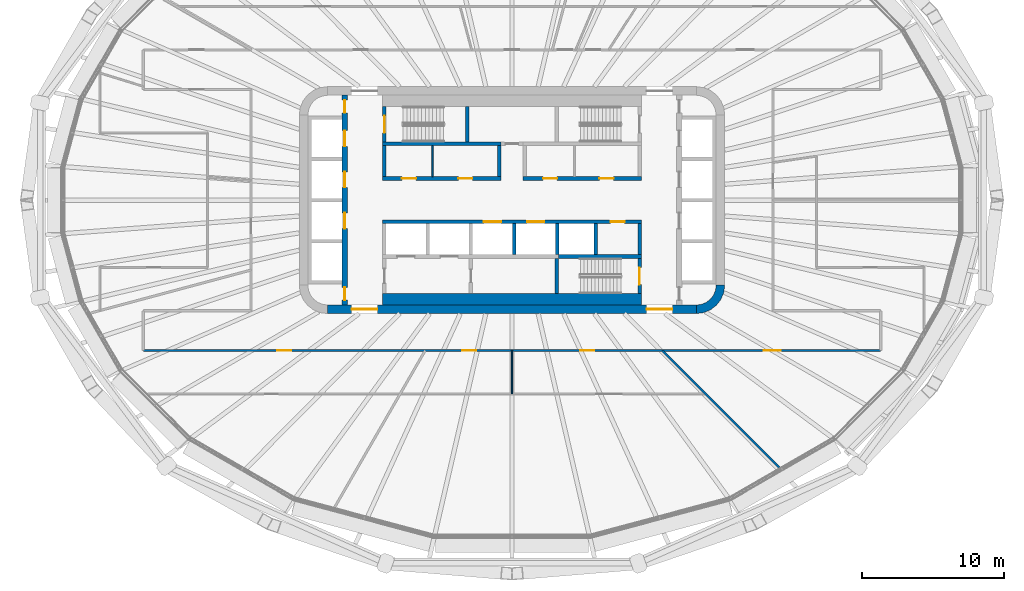
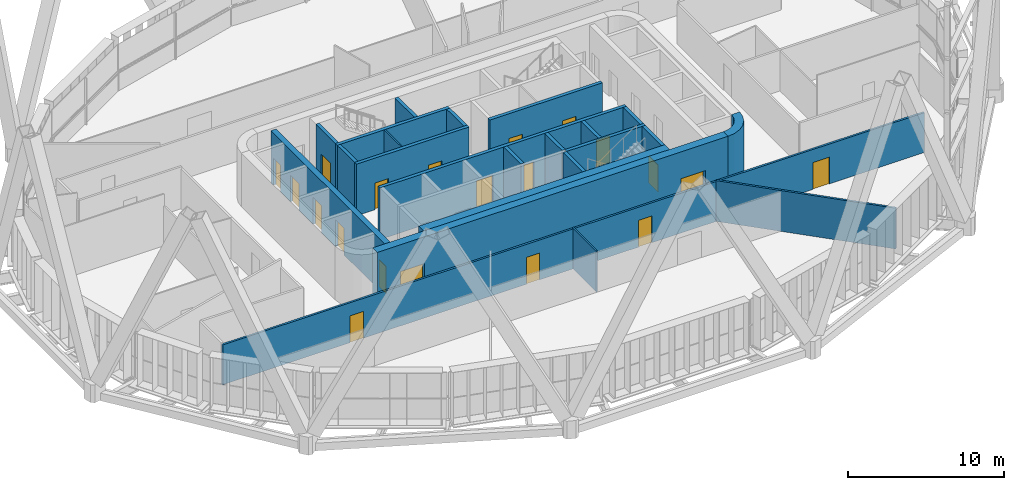
# One storey, part 16 of 26: 23 walls, 20 doors, 20 openings.
"""IFC4 building model written with IfcOpenShell, lengths in metres."""

import ifcopenshell
import ifcopenshell.guid

model = None  # the IFC model being written
_history = None  # IfcOwnerHistory: only IFC2X3 demands one
_inside = {}  # id of a spatial element -> (the spatial element, [elements in it])
_under = {}  # id of a project, library or spatial element -> (it, [spatial elements below it])
_declared = {}  # id of a project -> (the project, [libraries it declares])
_typed = {}  # id of a type object -> (the type object, [elements of that type])
_made_of = {}  # id of a material, layer set ... -> (it, [elements and type objects made of it])


def new_model(schema):
    """Start an empty IFC model of exactly this schema.

    Asked for "IFC4X3", IfcOpenShell would pick the latest addendum, in which some entities
    have other attributes; the version numbers below select the first issue.
    IFC2X3 requires an IfcOwnerHistory on every rooted entity: one is made here for all.
    """
    global model, _history
    if schema == "IFC4X3":
        model = ifcopenshell.file(schema_version=(4, 3, 0, 0))
    else:
        model = ifcopenshell.file(schema=schema)
    _inside.clear()
    _under.clear()
    _declared.clear()
    _typed.clear()
    _made_of.clear()
    _history = None
    if model.schema == "IFC2X3":
        org = make("IfcOrganization", Name="unknown")
        user = make(
            "IfcPersonAndOrganization",
            ThePerson=make("IfcPerson", FamilyName="unknown"),
            TheOrganization=org,
        )
        app = make(
            "IfcApplication",
            ApplicationDeveloper=org,
            Version="unknown",
            ApplicationFullName="unknown",
            ApplicationIdentifier="unknown",
        )
        _history = make(
            "IfcOwnerHistory",
            OwningUser=user,
            OwningApplication=app,
            ChangeAction="ADDED",
            CreationDate=0,
        )
    return model


def make(cls, **values):
    """One entity of the class cls with the attributes given. An attribute that is None is left unset."""
    return model.create_entity(
        cls, **{name: value for name, value in values.items() if value is not None}
    )


def rooted(cls, **values):
    """An entity with a GlobalId (a new one), such as an element, a storey or a relation."""
    return make(cls, GlobalId=ifcopenshell.guid.new(), OwnerHistory=_history, **values)


def si_unit(unit_type, name, prefix=None):
    """IfcSIUnit, for example si_unit("LENGTHUNIT", "METRE", prefix="MILLI")."""
    return make("IfcSIUnit", UnitType=unit_type, Prefix=prefix, Name=name)


def assignment(units):
    """IfcUnitAssignment: the units of a project."""
    return None if units is None else make("IfcUnitAssignment", Units=units)


def point(xyz):
    """IfcCartesianPoint."""
    return None if xyz is None else make("IfcCartesianPoint", Coordinates=xyz)


def direction(xyz):
    """IfcDirection."""
    return None if xyz is None else make("IfcDirection", DirectionRatios=xyz)


def frame(location, z_axis=None, x_axis=None):
    """IfcAxis2Placement3D, a coordinate frame: its origin and axes. An axis left out is left unset."""
    return make(
        "IfcAxis2Placement3D",
        Location=point(location),
        Axis=direction(z_axis),
        RefDirection=direction(x_axis),
    )


def frame_2d(location, x_axis=None):
    """IfcAxis2Placement2D, a coordinate frame in the plane: its origin and x axis."""
    return make(
        "IfcAxis2Placement2D", Location=point(location), RefDirection=direction(x_axis)
    )


def origin():
    """The frame at (0, 0, 0) with its axes left unset."""
    return frame((0.0, 0.0, 0.0))


def place(relative_to, where):
    """IfcLocalPlacement: puts the frame where relative to a parent placement (None: the world)."""
    return make(
        "IfcLocalPlacement", PlacementRelTo=relative_to, RelativePlacement=where
    )


def context(
    kind, dimensions, precision=None, world=None, true_north=None, identifier=None
):
    """IfcGeometricRepresentationContext, for example the 3D "Model" context."""
    return make(
        "IfcGeometricRepresentationContext",
        ContextIdentifier=identifier,
        ContextType=kind,
        CoordinateSpaceDimension=dimensions,
        Precision=precision,
        WorldCoordinateSystem=world,
        TrueNorth=true_north,
    )


def subcontext(parent, identifier, kind, view, scale=None):
    """IfcGeometricRepresentationSubContext, for example "Body" below "Model"."""
    return make(
        "IfcGeometricRepresentationSubContext",
        ContextIdentifier=identifier,
        ContextType=kind,
        ParentContext=parent,
        TargetScale=scale,
        TargetView=view,
    )


def project(units=None, contexts=None):
    """IfcProject with its units and contexts."""
    return rooted(
        "IfcProject",
        Name="project",
        RepresentationContexts=contexts,
        UnitsInContext=assignment(units),
    )


def spatial(cls, under=None, at=None, **own):
    """A site, building, storey or space (cls), placed at a placement, below another one or the project."""
    s = rooted(cls, ObjectPlacement=at, **own)
    if under is not None:
        _under.setdefault(under.id(), (under, []))[1].append(s)
    return s


def polyline(points):
    """IfcPolyline through the points."""
    return make("IfcPolyline", Points=[point(p) for p in points])


def profile(cls, at=None, kind="AREA", **sizes):
    """A parametric profile (cls). Its sizes go by their IFC names, for example OverallWidth=200.0."""
    return make(cls, ProfileType=kind, Position=at, **sizes)


def rectangle(**sizes):
    """IfcRectangleProfileDef."""
    return profile("IfcRectangleProfileDef", **sizes)


def outline(outer, holes=None, kind="AREA"):
    """IfcArbitraryClosedProfileDef: a profile drawn as a closed curve; with holes, ...WithVoids."""
    if holes is None:
        return make("IfcArbitraryClosedProfileDef", ProfileType=kind, OuterCurve=outer)
    return make(
        "IfcArbitraryProfileDefWithVoids",
        ProfileType=kind,
        OuterCurve=outer,
        InnerCurves=holes,
    )


def extrude(swept, where, along, depth):
    """IfcExtrudedAreaSolid: the profile swept, set in the frame where, extruded along a direction by depth."""
    return make(
        "IfcExtrudedAreaSolid",
        SweptArea=swept,
        Position=where,
        ExtrudedDirection=direction(along),
        Depth=depth,
    )


def shape(context_of_items, identifier, shape_type, items):
    """IfcShapeRepresentation: the items that make up one representation, for example the "Body"."""
    return make(
        "IfcShapeRepresentation",
        ContextOfItems=context_of_items,
        RepresentationIdentifier=identifier,
        RepresentationType=shape_type,
        Items=items,
    )


def material(Name=None, Category=None):
    """IfcMaterial."""
    return make("IfcMaterial", Name=Name, Category=Category)


def layer(
    of_material, thickness, ventilated=None, Name=None, Category=None, Priority=None
):
    """IfcMaterialLayer: one layer of a wall or slab, of a material (None: an air gap)."""
    return make(
        "IfcMaterialLayer",
        Material=of_material,
        LayerThickness=thickness,
        IsVentilated=ventilated,
        Name=Name,
        Category=Category,
        Priority=Priority,
    )


def layer_set(layers, Name=None):
    """IfcMaterialLayerSet."""
    return make("IfcMaterialLayerSet", MaterialLayers=layers, LayerSetName=Name)


def made_of(thing, what):
    """Note that an element or type object is made of a material, layer set ...; save() writes the relation."""
    if what is not None:
        _made_of.setdefault(what.id(), (what, []))[1].append(thing)
    return thing


def type_object(cls, material=None, **own):
    """A type object (cls), such as IfcWallType, which elements share."""
    return made_of(rooted(cls, **own), material)


def element(
    cls,
    number,
    at=None,
    inside=None,
    cuts=None,
    type_object=None,
    material=None,
    context=None,
    identifier="Body",
    shape_type=None,
    held_by="IfcProductDefinitionShape",
    body=None,
    shapes=None,
    **own,
):
    """One element of the class cls, such as IfcWall. Its Tag is "e" and its number.

    at: its placement. inside: the storey or other place that contains it. cuts: it is an
    opening in that element (IfcRelVoidsElement). A single representation is given by context,
    identifier, shape_type and body (its items); several are given by shapes. held_by: the class
    of the entity that holds the representations. save() writes the other relations.
    """
    e = rooted(cls, Tag="e%d" % number, ObjectPlacement=at, **own)
    if body is not None:
        shapes = [shape(context, identifier, shape_type, body)]
    if shapes is not None:
        e.Representation = make(held_by, Representations=shapes)
    if inside is not None:
        _inside.setdefault(inside.id(), (inside, []))[1].append(e)
    if cuts is not None:
        rooted(
            "IfcRelVoidsElement", RelatingBuildingElement=cuts, RelatedOpeningElement=e
        )
    if type_object is not None:
        _typed.setdefault(type_object.id(), (type_object, []))[1].append(e)
    return made_of(e, material)


def fill(opening, filler):
    """IfcRelFillsElement: the door or window that sits in an opening."""
    return rooted(
        "IfcRelFillsElement",
        RelatingOpeningElement=opening,
        RelatedBuildingElement=filler,
    )


def aggregate(whole, parts):
    """IfcRelAggregates: a whole, such as a stair, and the parts it consists of."""
    return rooted("IfcRelAggregates", RelatingObject=whole, RelatedObjects=parts)


def save(model, path):
    """Write the relations noted so far, then the file.

    IfcRelAggregates (storeys below a building ...), IfcRelContainedInSpatialStructure (elements
    in a storey), IfcRelDefinesByType, IfcRelAssociatesMaterial and IfcRelDeclares: one each for
    every whole, place, type object, material and project.
    """
    for whole, parts in _under.values():
        aggregate(whole, parts)
    for where, things in _inside.values():
        rooted(
            "IfcRelContainedInSpatialStructure",
            RelatedElements=things,
            RelatingStructure=where,
        )
    for kind, things in _typed.values():
        rooted("IfcRelDefinesByType", RelatedObjects=things, RelatingType=kind)
    for what, things in _made_of.values():
        rooted("IfcRelAssociatesMaterial", RelatedObjects=things, RelatingMaterial=what)
    for by, libraries in _declared.values():
        rooted("IfcRelDeclares", RelatingContext=by, RelatedDefinitions=libraries)
    model.write(path)


model = new_model("IFC4")

# Units and contexts
model_context = context("Model", 3, precision=1e-05, world=origin(), true_north=direction((0.0, 1.0)))
body_context = subcontext(model_context, "Body", "Model", "MODEL_VIEW")
ifc_project = project(units=[si_unit("LENGTHUNIT", "METRE"), si_unit("AREAUNIT", "SQUARE_METRE"), si_unit("VOLUMEUNIT", "CUBIC_METRE"), si_unit("PLANEANGLEUNIT", "RADIAN"), si_unit("MASSUNIT", "GRAM", prefix="KILO")], contexts=[model_context])

# Site, building, storey
site_placement = place(None, origin())
site = spatial("IfcSite", under=ifc_project, at=site_placement, CompositionType="ELEMENT")
building_placement = place(site_placement, origin())
building = spatial("IfcBuilding", under=site, at=building_placement, Name="Sahrelin Media Tower", CompositionType="ELEMENT")
storey_placement = place(building_placement, frame((0.0, 0.0, 131.39990234375)))
storey = spatial("IfcBuildingStorey", under=building, at=storey_placement, Name="L26", CompositionType="ELEMENT", Elevation=131.39990234375)

# Wall, openings, doors
ifc_material_1 = material(Name="Concrete C60/75", Category="concrete")
ifc_layer_1 = layer(ifc_material_1, 0.60009765625)
ifc_layer_set_1 = layer_set([ifc_layer_1], Name="Core wall 600")
wall_type_1 = type_object("IfcWallType", Name="Core wall 600", PredefinedType="SHEAR", material=ifc_layer_set_1)
wall_1_placement = place(storey_placement, frame((-13.0, -7.699951171875, 0.0), z_axis=(0.0, 0.0, 1.0), x_axis=(1.0, 0.0, 0.0)))
wall_1 = element("IfcWall", 1, at=wall_1_placement, inside=storey, type_object=wall_type_1, Name="Core wall S L26", PredefinedType="SHEAR", context=body_context, shape_type="SweptSolid", body=[
    extrude(rectangle(XDim=26.0, YDim=0.60009765625, at=frame_2d((13.0, 0.0))), origin(), (0.0, 0.0, 1.0), 4.2001953125),
])
opening_1_placement = place(wall_1_placement, frame((1.699951171875, 0.0, 0.0)))
opening_1 = element("IfcOpeningElement", 2, at=opening_1_placement, cuts=wall_1, Name="Opening L26-D18", PredefinedType="OPENING", context=body_context, shape_type="SweptSolid", body=[
    extrude(rectangle(XDim=1.800048828125, YDim=2.10009765625, at=frame_2d((0.89990234375, 1.050048828125))), frame((0.0, 0.300048828125, 0.0), z_axis=(0.0, -1.0, 0.0), x_axis=(1.0, 0.0, 0.0)), (0.0, 0.0, 1.0), 0.60009765625),
])
opening_2_placement = place(wall_1_placement, frame((22.5, 0.0, 0.0)))
opening_2 = element("IfcOpeningElement", 3, at=opening_2_placement, cuts=wall_1, Name="Opening L26-D19", PredefinedType="OPENING", context=body_context, shape_type="SweptSolid", body=[
    extrude(rectangle(XDim=1.800048828125, YDim=2.10009765625, at=frame_2d((0.89990234375, 1.050048828125))), frame((0.0, 0.300048828125, 0.0), z_axis=(0.0, -1.0, 0.0), x_axis=(1.0, 0.0, 0.0)), (0.0, 0.0, 1.0), 0.60009765625),
])
ifc_material_2 = material(Name="Steel fire door leaf", Category="steel")
door_type_1 = type_object("IfcDoorType", Name="Lobby double door 1800 x 2100 EI 60", OperationType="DOUBLE_DOOR_SINGLE_SWING", PredefinedType="DOOR", material=ifc_material_2)
door_1_placement = place(opening_1_placement, origin())
door_1 = element("IfcDoor", 4, at=door_1_placement, inside=storey, type_object=door_type_1, Name="Lobby door", OperationType="DOUBLE_DOOR_SINGLE_SWING", OverallHeight=2.10009765625, OverallWidth=1.800048828125, PredefinedType="DOOR", context=body_context, shape_type="SweptSolid", body=[
    extrude(rectangle(XDim=1.800048828125, YDim=2.10009765625, at=frame_2d((0.89990234375, 1.050048828125))), frame((0.0, 0.02490234375, 0.0), z_axis=(0.0, -1.0, 0.0), x_axis=(1.0, 0.0, 0.0)), (0.0, 0.0, 1.0), 0.050048828125),
])
fill(opening_1, door_1)
door_2_placement = place(opening_2_placement, origin())
door_2 = element("IfcDoor", 5, at=door_2_placement, inside=storey, type_object=door_type_1, Name="Lobby door", OperationType="DOUBLE_DOOR_SINGLE_SWING", OverallHeight=2.10009765625, OverallWidth=1.800048828125, PredefinedType="DOOR", context=body_context, shape_type="SweptSolid", body=[
    extrude(rectangle(XDim=1.800048828125, YDim=2.10009765625, at=frame_2d((0.89990234375, 1.050048828125))), frame((0.0, 0.02490234375, 0.0), z_axis=(0.0, -1.0, 0.0), x_axis=(1.0, 0.0, 0.0)), (0.0, 0.0, 1.0), 0.050048828125),
])
fill(opening_2, door_2)

# Wall
wall_2_placement = place(storey_placement, origin())
element("IfcWall", 6, at=wall_2_placement, inside=storey, type_object=wall_type_1, Name="Core wall corner SE L26", PredefinedType="SHEAR", context=body_context, shape_type="SweptSolid", body=[
    extrude(outline(polyline([(15.0, -6.0), (14.394775390625, -6.0), (14.347412109375, -6.361083984375), (14.2080078125, -6.697509765625), (13.986328125, -6.986328125), (13.697509765625, -7.2080078125), (13.361083984375, -7.347412109375), (13.0, -7.394775390625), (13.0, -8.0), (13.517578125, -7.931884765625), (14.0, -7.732177734375), (14.414306640625, -7.414306640625), (14.732177734375, -7.0), (14.931884765625, -6.517578125), (15.0, -6.0)])), origin(), (0.0, 0.0, 1.0), 4.2001953125),
])

# Wall, openings, doors
ifc_material_3 = material(Name="Fire-rated gypsum board partition")
ifc_layer_2 = layer(ifc_material_3, 0.25)
ifc_layer_set_2 = layer_set([ifc_layer_2], Name="Fire-rated lobby wall 250")
wall_type_2 = type_object("IfcWallType", Name="Fire-rated lobby wall 250", PredefinedType="PARTITIONING", material=ifc_layer_set_2)
wall_3_placement = place(storey_placement, frame((-9.125, 1.52490234375, 0.0), z_axis=(0.0, 0.0, 1.0), x_axis=(1.0, 0.0, 0.0)))
wall_3 = element("IfcWall", 7, at=wall_3_placement, inside=storey, type_object=wall_type_2, Name="Core lobby wall", PredefinedType="PARTITIONING", context=body_context, shape_type="SweptSolid", body=[
    extrude(rectangle(XDim=8.35009765625, YDim=0.25, at=frame_2d((4.175048828125, 0.0))), origin(), (0.0, 0.0, 1.0), 4.050048828125),
])
opening_3_placement = place(wall_3_placement, frame((1.362548828125, 0.0, 0.0)))
opening_3 = element("IfcOpeningElement", 8, at=opening_3_placement, cuts=wall_3, Name="Opening L26-D07", PredefinedType="OPENING", context=body_context, shape_type="SweptSolid", body=[
    extrude(rectangle(XDim=1.0, YDim=2.10009765625, at=frame_2d((0.5, 1.050048828125))), frame((0.0, 0.125, 0.0), z_axis=(0.0, -1.0, 0.0), x_axis=(1.0, 0.0, 0.0)), (0.0, 0.0, 1.0), 0.25),
])
opening_4_placement = place(wall_3_placement, frame((5.33740234375, 0.0, 0.0)))
opening_4 = element("IfcOpeningElement", 9, at=opening_4_placement, cuts=wall_3, Name="Opening L26-D08", PredefinedType="OPENING", context=body_context, shape_type="SweptSolid", body=[
    extrude(rectangle(XDim=1.0, YDim=2.10009765625, at=frame_2d((0.5, 1.050048828125))), frame((0.0, 0.125, 0.0), z_axis=(0.0, -1.0, 0.0), x_axis=(1.0, 0.0, 0.0)), (0.0, 0.0, 1.0), 0.25),
])
door_type_2 = type_object("IfcDoorType", Name="Fire door 1000 x 2100 EI 60", OperationType="NOTDEFINED", PredefinedType="DOOR", material=ifc_material_2)
door_3_placement = place(opening_3_placement, origin())
door_3 = element("IfcDoor", 10, at=door_3_placement, inside=storey, type_object=door_type_2, Name="Core room door", OperationType="SINGLE_SWING_LEFT", OverallHeight=2.10009765625, OverallWidth=1.0, PredefinedType="DOOR", context=body_context, shape_type="SweptSolid", body=[
    extrude(rectangle(XDim=1.0, YDim=2.10009765625, at=frame_2d((0.5, 1.050048828125))), frame((0.0, 0.02490234375, 0.0), z_axis=(0.0, -1.0, 0.0), x_axis=(1.0, 0.0, 0.0)), (0.0, 0.0, 1.0), 0.050048828125),
])
fill(opening_3, door_3)
door_4_placement = place(opening_4_placement, origin())
door_4 = element("IfcDoor", 11, at=door_4_placement, inside=storey, type_object=door_type_2, Name="Core room door", OperationType="SINGLE_SWING_LEFT", OverallHeight=2.10009765625, OverallWidth=1.0, PredefinedType="DOOR", context=body_context, shape_type="SweptSolid", body=[
    extrude(rectangle(XDim=1.0, YDim=2.10009765625, at=frame_2d((0.5, 1.050048828125))), frame((0.0, 0.02490234375, 0.0), z_axis=(0.0, -1.0, 0.0), x_axis=(1.0, 0.0, 0.0)), (0.0, 0.0, 1.0), 0.050048828125),
])
fill(opening_4, door_4)

wall_4_placement = place(storey_placement, frame((0.77490234375, 1.52490234375, 0.0), z_axis=(0.0, 0.0, 1.0), x_axis=(1.0, 0.0, 0.0)))
wall_4 = element("IfcWall", 12, at=wall_4_placement, inside=storey, type_object=wall_type_2, Name="Core lobby wall", PredefinedType="PARTITIONING", context=body_context, shape_type="SweptSolid", body=[
    extrude(rectangle(XDim=8.35009765625, YDim=0.25, at=frame_2d((4.175048828125, 0.0))), origin(), (0.0, 0.0, 1.0), 4.050048828125),
])
opening_5_placement = place(wall_4_placement, frame((1.41259765625, 0.0, 0.0)))
opening_5 = element("IfcOpeningElement", 13, at=opening_5_placement, cuts=wall_4, Name="Opening L26-D09", PredefinedType="OPENING", context=body_context, shape_type="SweptSolid", body=[
    extrude(rectangle(XDim=1.0, YDim=2.10009765625, at=frame_2d((0.5, 1.050048828125))), frame((0.0, 0.125, 0.0), z_axis=(0.0, -1.0, 0.0), x_axis=(1.0, 0.0, 0.0)), (0.0, 0.0, 1.0), 0.25),
])
opening_6_placement = place(wall_4_placement, frame((5.387451171875, 0.0, 0.0)))
opening_6 = element("IfcOpeningElement", 14, at=opening_6_placement, cuts=wall_4, Name="Opening L26-D10", PredefinedType="OPENING", context=body_context, shape_type="SweptSolid", body=[
    extrude(rectangle(XDim=1.0, YDim=2.10009765625, at=frame_2d((0.5, 1.050048828125))), frame((0.0, 0.125, 0.0), z_axis=(0.0, -1.0, 0.0), x_axis=(1.0, 0.0, 0.0)), (0.0, 0.0, 1.0), 0.25),
])
door_5_placement = place(opening_5_placement, origin())
door_5 = element("IfcDoor", 15, at=door_5_placement, inside=storey, type_object=door_type_2, Name="Core room door", OperationType="SINGLE_SWING_LEFT", OverallHeight=2.10009765625, OverallWidth=1.0, PredefinedType="DOOR", context=body_context, shape_type="SweptSolid", body=[
    extrude(rectangle(XDim=1.0, YDim=2.10009765625, at=frame_2d((0.5, 1.050048828125))), frame((0.0, 0.02490234375, 0.0), z_axis=(0.0, -1.0, 0.0), x_axis=(1.0, 0.0, 0.0)), (0.0, 0.0, 1.0), 0.050048828125),
])
fill(opening_5, door_5)
door_6_placement = place(opening_6_placement, origin())
door_6 = element("IfcDoor", 16, at=door_6_placement, inside=storey, type_object=door_type_2, Name="Core room door", OperationType="SINGLE_SWING_LEFT", OverallHeight=2.10009765625, OverallWidth=1.0, PredefinedType="DOOR", context=body_context, shape_type="SweptSolid", body=[
    extrude(rectangle(XDim=1.0, YDim=2.10009765625, at=frame_2d((0.5, 1.050048828125))), frame((0.0, 0.02490234375, 0.0), z_axis=(0.0, -1.0, 0.0), x_axis=(1.0, 0.0, 0.0)), (0.0, 0.0, 1.0), 0.050048828125),
])
fill(opening_6, door_6)

# Walls
for number, where, z_axis, x_axis, name in (
    (17, (-9.0, 1.64990234375, 0.0), (0.0, 0.0, 1.0), (0.0, 1.0, 0.0), "Core lobby wall"),
    (18, (-0.89990234375, 1.64990234375, 0.0), (0.0, 0.0, 1.0), (0.0, 1.0, 0.0), "Core lobby wall"),
):
    element("IfcWall", number, at=place(storey_placement, frame(where, z_axis=z_axis, x_axis=x_axis)), inside=storey, type_object=wall_type_2, Name=name, PredefinedType="PARTITIONING", context=body_context, shape_type="SweptSolid", body=[
        extrude(rectangle(XDim=2.2001953125, YDim=0.25, at=frame_2d((1.10009765625, 0.0))), origin(), (0.0, 0.0, 1.0), 4.050048828125),
    ])
ifc_layer_3 = layer(ifc_material_3, 0.10009765625)
ifc_layer_set_3 = layer_set([ifc_layer_3], Name="Fire-rated partition 100")
wall_type_3 = type_object("IfcWallType", Name="Fire-rated partition 100", PredefinedType="PARTITIONING", material=ifc_layer_set_3)
wall_5_placement = place(storey_placement, frame((-5.60009765625, 1.64990234375, 0.0), z_axis=(0.0, 0.0, 1.0), x_axis=(0.0, 1.0, 0.0)))
element("IfcWall", 19, at=wall_5_placement, inside=storey, type_object=wall_type_3, Name="Core room partition", PredefinedType="PARTITIONING", context=body_context, shape_type="SweptSolid", body=[
    extrude(rectangle(XDim=2.2001953125, YDim=0.10009765625, at=frame_2d((1.10009765625, 0.0))), origin(), (0.0, 0.0, 1.0), 4.050048828125),
])
ifc_layer_4 = layer(ifc_material_3, 0.14990234375)
ifc_layer_set_4 = layer_set([ifc_layer_4], Name="Fire-rated partition 150")
wall_type_4 = type_object("IfcWallType", Name="Fire-rated partition 150", PredefinedType="PARTITIONING", material=ifc_layer_set_4)
wall_6_placement = place(storey_placement, frame((10.60009765625, -10.60009765625, 0.0), z_axis=(0.0, 0.0, 1.0), x_axis=(0.707106781187, -0.707106781187, 0.0)))
element("IfcWall", 20, at=wall_6_placement, inside=storey, type_object=wall_type_4, Name="Wall", PredefinedType="PARTITIONING", context=body_context, shape_type="SweptSolid", body=[
    extrude(rectangle(XDim=11.962890625, YDim=0.14990234375, at=frame_2d((5.9814453125, 0.0))), origin(), (0.0, 0.0, 1.0), 3.195068359375),
])

# Wall, openings, doors
wall_7_placement = place(storey_placement, frame((-26.0, -10.60009765625, 0.0), z_axis=(0.0, 0.0, 1.0), x_axis=(1.0, 0.0, 0.0)))
wall_7 = element("IfcWall", 21, at=wall_7_placement, inside=storey, type_object=wall_type_4, Name="Wall", PredefinedType="PARTITIONING", context=body_context, shape_type="SweptSolid", body=[
    extrude(rectangle(XDim=52.0, YDim=0.14990234375, at=frame_2d((26.0, 0.0))), origin(), (0.0, 0.0, 1.0), 3.127197265625),
])
opening_7_placement = place(wall_7_placement, frame((22.490234375, 0.0, 0.0)))
opening_7 = element("IfcOpeningElement", 22, at=opening_7_placement, cuts=wall_7, Name="Opening L26-D20", PredefinedType="OPENING", context=body_context, shape_type="SweptSolid", body=[
    extrude(rectangle(XDim=1.0, YDim=2.10009765625, at=frame_2d((0.5, 1.050048828125))), frame((0.0, 0.074951171875, 0.0), z_axis=(0.0, -1.0, 0.0), x_axis=(1.0, 0.0, 0.0)), (0.0, 0.0, 1.0), 0.14990234375),
])
opening_8_placement = place(wall_7_placement, frame((30.800048828125, 0.0, 0.0)))
opening_8 = element("IfcOpeningElement", 23, at=opening_8_placement, cuts=wall_7, Name="Opening L26-D21", PredefinedType="OPENING", context=body_context, shape_type="SweptSolid", body=[
    extrude(rectangle(XDim=1.0, YDim=2.10009765625, at=frame_2d((0.5, 1.050048828125))), frame((0.0, 0.074951171875, 0.0), z_axis=(0.0, -1.0, 0.0), x_axis=(1.0, 0.0, 0.0)), (0.0, 0.0, 1.0), 0.14990234375),
])
opening_9_placement = place(wall_7_placement, frame((43.75048828125, 0.0, 0.0)))
opening_9 = element("IfcOpeningElement", 24, at=opening_9_placement, cuts=wall_7, Name="Opening L26-D23", PredefinedType="OPENING", context=body_context, shape_type="SweptSolid", body=[
    extrude(rectangle(XDim=1.199951171875, YDim=2.10009765625, at=frame_2d((0.60009765625, 1.050048828125))), frame((0.0, 0.074951171875, 0.0), z_axis=(0.0, -1.0, 0.0), x_axis=(1.0, 0.0, 0.0)), (0.0, 0.0, 1.0), 0.14990234375),
])
opening_10_placement = place(wall_7_placement, frame((9.43994140625, 0.0, 0.0)))
opening_10 = element("IfcOpeningElement", 25, at=opening_10_placement, cuts=wall_7, Name="Opening L26-D37", PredefinedType="OPENING", context=body_context, shape_type="SweptSolid", body=[
    extrude(rectangle(XDim=1.0, YDim=2.10009765625, at=frame_2d((0.5, 1.050048828125))), frame((0.0, 0.074951171875, 0.0), z_axis=(0.0, -1.0, 0.0), x_axis=(1.0, 0.0, 0.0)), (0.0, 0.0, 1.0), 0.14990234375),
])
door_7_placement = place(opening_7_placement, origin())
door_7 = element("IfcDoor", 26, at=door_7_placement, inside=storey, type_object=door_type_2, Name="Fire door", OperationType="SINGLE_SWING_RIGHT", OverallHeight=2.10009765625, OverallWidth=1.0, PredefinedType="DOOR", context=body_context, shape_type="SweptSolid", body=[
    extrude(rectangle(XDim=1.0, YDim=2.10009765625, at=frame_2d((0.5, 1.050048828125))), frame((0.0, 0.02490234375, 0.0), z_axis=(0.0, -1.0, 0.0), x_axis=(1.0, 0.0, 0.0)), (0.0, 0.0, 1.0), 0.050048828125),
])
fill(opening_7, door_7)
door_8_placement = place(opening_8_placement, origin())
door_8 = element("IfcDoor", 27, at=door_8_placement, inside=storey, type_object=door_type_2, Name="Fire door", OperationType="SINGLE_SWING_LEFT", OverallHeight=2.10009765625, OverallWidth=1.0, PredefinedType="DOOR", context=body_context, shape_type="SweptSolid", body=[
    extrude(rectangle(XDim=1.0, YDim=2.10009765625, at=frame_2d((0.5, 1.050048828125))), frame((0.0, 0.02490234375, 0.0), z_axis=(0.0, -1.0, 0.0), x_axis=(1.0, 0.0, 0.0)), (0.0, 0.0, 1.0), 0.050048828125),
])
fill(opening_8, door_8)
door_9_placement = place(opening_10_placement, origin())
door_9 = element("IfcDoor", 28, at=door_9_placement, inside=storey, type_object=door_type_2, Name="Fire door", OperationType="SINGLE_SWING_RIGHT", OverallHeight=2.10009765625, OverallWidth=1.0, PredefinedType="DOOR", context=body_context, shape_type="SweptSolid", body=[
    extrude(rectangle(XDim=1.0, YDim=2.10009765625, at=frame_2d((0.5, 1.050048828125))), frame((0.0, 0.02490234375, 0.0), z_axis=(0.0, -1.0, 0.0), x_axis=(1.0, 0.0, 0.0)), (0.0, 0.0, 1.0), 0.050048828125),
])
fill(opening_10, door_9)
door_type_3 = type_object("IfcDoorType", Name="Service double door 1200 x 2100 EI 60", OperationType="DOUBLE_DOOR_SINGLE_SWING", PredefinedType="DOOR", material=ifc_material_2)
door_10_placement = place(opening_9_placement, origin())
door_10 = element("IfcDoor", 29, at=door_10_placement, inside=storey, type_object=door_type_3, Name="Service double door", OperationType="DOUBLE_DOOR_SINGLE_SWING", OverallHeight=2.10009765625, OverallWidth=1.199951171875, PredefinedType="DOOR", context=body_context, shape_type="SweptSolid", body=[
    extrude(rectangle(XDim=1.199951171875, YDim=2.10009765625, at=frame_2d((0.60009765625, 1.050048828125))), frame((0.0, 0.02490234375, 0.0), z_axis=(0.0, -1.0, 0.0), x_axis=(1.0, 0.0, 0.0)), (0.0, 0.0, 1.0), 0.050048828125),
])
fill(opening_9, door_10)

ifc_layer_5 = layer(ifc_material_1, 0.25)
ifc_layer_set_5 = layer_set([ifc_layer_5], Name="Lift shaft wall 250")
wall_type_5 = type_object("IfcWallType", Name="Lift shaft wall 250", PredefinedType="SOLIDWALL", material=ifc_layer_set_5)
wall_8_placement = place(storey_placement, frame((-9.125, -1.52490234375, 0.0), z_axis=(0.0, 0.0, 1.0), x_axis=(1.0, 0.0, 0.0)))
wall_8 = element("IfcWall", 30, at=wall_8_placement, inside=storey, type_object=wall_type_5, Name="Lift shaft wall", PredefinedType="SOLIDWALL", context=body_context, shape_type="SweptSolid", body=[
    extrude(rectangle(XDim=18.25, YDim=0.25, at=frame_2d((9.125, 0.0))), origin(), (0.0, 0.0, 1.0), 4.050048828125),
])
opening_11_placement = place(wall_8_placement, frame((7.14990234375, 0.0, 0.0)))
opening_11 = element("IfcOpeningElement", 31, at=opening_11_placement, cuts=wall_8, Name="Opening L26-LD-SV1", PredefinedType="OPENING", context=body_context, shape_type="SweptSolid", body=[
    extrude(rectangle(XDim=1.199951171875, YDim=2.10009765625, at=frame_2d((0.60009765625, 1.050048828125))), frame((0.0, 0.125, 0.0), z_axis=(0.0, -1.0, 0.0), x_axis=(1.0, 0.0, 0.0)), (0.0, 0.0, 1.0), 0.25),
])
opening_12_placement = place(wall_8_placement, frame((10.199951171875, 0.0, 0.0)))
opening_12 = element("IfcOpeningElement", 32, at=opening_12_placement, cuts=wall_8, Name="Opening L26-LD-SV2", PredefinedType="OPENING", context=body_context, shape_type="SweptSolid", body=[
    extrude(rectangle(XDim=1.199951171875, YDim=2.10009765625, at=frame_2d((0.60009765625, 1.050048828125))), frame((0.0, 0.125, 0.0), z_axis=(0.0, -1.0, 0.0), x_axis=(1.0, 0.0, 0.0)), (0.0, 0.0, 1.0), 0.25),
])
opening_13_placement = place(wall_8_placement, frame((16.074951171875, 0.0, 0.0)))
opening_13 = element("IfcOpeningElement", 33, at=opening_13_placement, cuts=wall_8, Name="Opening L26-D11", PredefinedType="OPENING", context=body_context, shape_type="SweptSolid", body=[
    extrude(rectangle(XDim=1.0, YDim=2.10009765625, at=frame_2d((0.5, 1.050048828125))), frame((0.0, 0.125, 0.0), z_axis=(0.0, -1.0, 0.0), x_axis=(1.0, 0.0, 0.0)), (0.0, 0.0, 1.0), 0.25),
])
door_11_placement = place(opening_13_placement, origin())
door_11 = element("IfcDoor", 34, at=door_11_placement, inside=storey, type_object=door_type_2, Name="Core room door", OperationType="SINGLE_SWING_RIGHT", OverallHeight=2.10009765625, OverallWidth=1.0, PredefinedType="DOOR", context=body_context, shape_type="SweptSolid", body=[
    extrude(rectangle(XDim=1.0, YDim=2.10009765625, at=frame_2d((0.5, 1.050048828125))), frame((0.0, 0.02490234375, 0.0), z_axis=(0.0, -1.0, 0.0), x_axis=(1.0, 0.0, 0.0)), (0.0, 0.0, 1.0), 0.050048828125),
])
fill(opening_13, door_11)
ifc_material_4 = material(Name="Stainless steel", Category="steel")
door_type_4 = type_object("IfcDoorType", Name="Lift landing door 1200 x 2100 EI 120", OperationType="DOUBLE_DOOR_SLIDING", PredefinedType="DOOR", material=ifc_material_4)
door_12_placement = place(opening_11_placement, origin())
door_12 = element("IfcDoor", 35, at=door_12_placement, inside=storey, type_object=door_type_4, Name="Lift landing door SV1", OperationType="DOUBLE_DOOR_SLIDING", OverallHeight=2.10009765625, OverallWidth=1.199951171875, PredefinedType="DOOR", context=body_context, shape_type="SweptSolid", body=[
    extrude(rectangle(XDim=1.199951171875, YDim=2.10009765625, at=frame_2d((0.60009765625, 1.050048828125))), frame((0.0, 0.02490234375, 0.0), z_axis=(0.0, -1.0, 0.0), x_axis=(1.0, 0.0, 0.0)), (0.0, 0.0, 1.0), 0.050048828125),
])
fill(opening_11, door_12)
door_13_placement = place(opening_12_placement, origin())
door_13 = element("IfcDoor", 36, at=door_13_placement, inside=storey, type_object=door_type_4, Name="Lift landing door SV2", OperationType="DOUBLE_DOOR_SLIDING", OverallHeight=2.10009765625, OverallWidth=1.199951171875, PredefinedType="DOOR", context=body_context, shape_type="SweptSolid", body=[
    extrude(rectangle(XDim=1.199951171875, YDim=2.10009765625, at=frame_2d((0.60009765625, 1.050048828125))), frame((0.0, 0.02490234375, 0.0), z_axis=(0.0, -1.0, 0.0), x_axis=(1.0, 0.0, 0.0)), (0.0, 0.0, 1.0), 0.050048828125),
])
fill(opening_12, door_13)

# Walls
wall_9_placement = place(storey_placement, frame((3.27490234375, -3.97509765625, 0.0), z_axis=(0.0, 0.0, 1.0), x_axis=(1.0, 0.0, 0.0)))
element("IfcWall", 37, at=wall_9_placement, inside=storey, type_object=wall_type_5, Name="Lift shaft wall", PredefinedType="SOLIDWALL", context=body_context, shape_type="SweptSolid", body=[
    extrude(rectangle(XDim=5.85009765625, YDim=0.25, at=frame_2d((2.925048828125, 0.0))), origin(), (0.0, 0.0, 1.0), 4.050048828125),
])
for number, where, z_axis, x_axis, name in (
    (38, (0.14990234375, -3.85009765625, 0.0), (0.0, 0.0, 1.0), (0.0, 1.0, 0.0), "Lift shaft wall"),
    (39, (3.199951171875, -3.85009765625, 0.0), (0.0, 0.0, 1.0), (0.0, 1.0, 0.0), "Lift shaft wall"),
    (40, (5.89990234375, -3.85009765625, 0.0), (0.0, 0.0, 1.0), (0.0, 1.0, 0.0), "Lift shaft wall"),
    (41, (9.0, -3.85009765625, 0.0), (0.0, 0.0, 1.0), (0.0, 1.0, 0.0), "Lift shaft wall"),
):
    element("IfcWall", number, at=place(storey_placement, frame(where, z_axis=z_axis, x_axis=x_axis)), inside=storey, type_object=wall_type_5, Name=name, PredefinedType="SOLIDWALL", context=body_context, shape_type="SweptSolid", body=[
        extrude(rectangle(XDim=2.2001953125, YDim=0.25, at=frame_2d((1.10009765625, 0.0))), origin(), (0.0, 0.0, 1.0), 4.050048828125),
    ])

# Wall, openings, doors
ifc_layer_6 = layer(ifc_material_1, 0.39990234375)
ifc_layer_set_6 = layer_set([ifc_layer_6], Name="Lift shaft wall 400")
wall_type_6 = type_object("IfcWallType", Name="Lift shaft wall 400", PredefinedType="SOLIDWALL", material=ifc_layer_set_6)
wall_10_placement = place(storey_placement, frame((-11.800048828125, -7.39990234375, 0.0), z_axis=(0.0, 0.0, 1.0), x_axis=(0.0, 1.0, 0.0)))
wall_10 = element("IfcWall", 42, at=wall_10_placement, inside=storey, type_object=wall_type_6, Name="Lift shaft wall", PredefinedType="SOLIDWALL", context=body_context, shape_type="SweptSolid", body=[
    extrude(rectangle(XDim=14.7998046875, YDim=0.39990234375, at=frame_2d((7.39990234375, 0.0))), origin(), (0.0, 0.0, 1.0), 4.050048828125),
])
opening_14_placement = place(wall_10_placement, frame((11.199951171875, 0.0, 0.0)))
opening_14 = element("IfcOpeningElement", 43, at=opening_14_placement, cuts=wall_10, Name="Opening L26-LD-LR1", PredefinedType="OPENING", context=body_context, shape_type="SweptSolid", body=[
    extrude(rectangle(XDim=1.10009765625, YDim=2.10009765625, at=frame_2d((0.550048828125, 1.050048828125))), frame((0.0, 0.199951171875, 0.0), z_axis=(0.0, -1.0, 0.0), x_axis=(1.0, 0.0, 0.0)), (0.0, 0.0, 1.0), 0.39990234375),
])
opening_15_placement = place(wall_10_placement, frame((8.300048828125, 0.0, 0.0)))
opening_15 = element("IfcOpeningElement", 44, at=opening_15_placement, cuts=wall_10, Name="Opening L26-LD-LR2", PredefinedType="OPENING", context=body_context, shape_type="SweptSolid", body=[
    extrude(rectangle(XDim=1.10009765625, YDim=2.10009765625, at=frame_2d((0.550048828125, 1.050048828125))), frame((0.0, 0.199951171875, 0.0), z_axis=(0.0, -1.0, 0.0), x_axis=(1.0, 0.0, 0.0)), (0.0, 0.0, 1.0), 0.39990234375),
])
opening_16_placement = place(wall_10_placement, frame((5.39990234375, 0.0, 0.0)))
opening_16 = element("IfcOpeningElement", 45, at=opening_16_placement, cuts=wall_10, Name="Opening L26-LD-LR3", PredefinedType="OPENING", context=body_context, shape_type="SweptSolid", body=[
    extrude(rectangle(XDim=1.10009765625, YDim=2.10009765625, at=frame_2d((0.550048828125, 1.050048828125))), frame((0.0, 0.199951171875, 0.0), z_axis=(0.0, -1.0, 0.0), x_axis=(1.0, 0.0, 0.0)), (0.0, 0.0, 1.0), 0.39990234375),
])
opening_17_placement = place(wall_10_placement, frame((13.552490234375, 0.0, 0.0)))
opening_17 = element("IfcOpeningElement", 46, at=opening_17_placement, cuts=wall_10, Name="Opening L26-D12", PredefinedType="OPENING", context=body_context, shape_type="SweptSolid", body=[
    extrude(rectangle(XDim=0.89990234375, YDim=2.10009765625, at=frame_2d((0.449951171875, 1.050048828125))), frame((0.0, 0.199951171875, 0.0), z_axis=(0.0, -1.0, 0.0), x_axis=(1.0, 0.0, 0.0)), (0.0, 0.0, 1.0), 0.39990234375),
])
opening_18_placement = place(wall_10_placement, frame((0.347412109375, 0.0, 0.0)))
opening_18 = element("IfcOpeningElement", 47, at=opening_18_placement, cuts=wall_10, Name="Opening L26-D13", PredefinedType="OPENING", context=body_context, shape_type="SweptSolid", body=[
    extrude(rectangle(XDim=0.89990234375, YDim=2.10009765625, at=frame_2d((0.449951171875, 1.050048828125))), frame((0.0, 0.199951171875, 0.0), z_axis=(0.0, -1.0, 0.0), x_axis=(1.0, 0.0, 0.0)), (0.0, 0.0, 1.0), 0.39990234375),
])
door_type_5 = type_object("IfcDoorType", Name="Lift landing door 1100 x 2100 EI 120", OperationType="DOUBLE_DOOR_SLIDING", PredefinedType="DOOR", material=ifc_material_4)
door_14_placement = place(opening_14_placement, origin())
door_14 = element("IfcDoor", 48, at=door_14_placement, inside=storey, type_object=door_type_5, Name="Lift landing door LR1", OperationType="DOUBLE_DOOR_SLIDING", OverallHeight=2.10009765625, OverallWidth=1.10009765625, PredefinedType="DOOR", context=body_context, shape_type="SweptSolid", body=[
    extrude(rectangle(XDim=1.10009765625, YDim=2.10009765625, at=frame_2d((0.550048828125, 1.050048828125))), frame((0.0, 0.02490234375, 0.0), z_axis=(0.0, -1.0, 0.0), x_axis=(1.0, 0.0, 0.0)), (0.0, 0.0, 1.0), 0.050048828125),
])
fill(opening_14, door_14)
door_15_placement = place(opening_15_placement, origin())
door_15 = element("IfcDoor", 49, at=door_15_placement, inside=storey, type_object=door_type_5, Name="Lift landing door LR2", OperationType="DOUBLE_DOOR_SLIDING", OverallHeight=2.10009765625, OverallWidth=1.10009765625, PredefinedType="DOOR", context=body_context, shape_type="SweptSolid", body=[
    extrude(rectangle(XDim=1.10009765625, YDim=2.10009765625, at=frame_2d((0.550048828125, 1.050048828125))), frame((0.0, 0.02490234375, 0.0), z_axis=(0.0, -1.0, 0.0), x_axis=(1.0, 0.0, 0.0)), (0.0, 0.0, 1.0), 0.050048828125),
])
fill(opening_15, door_15)
door_16_placement = place(opening_16_placement, origin())
door_16 = element("IfcDoor", 50, at=door_16_placement, inside=storey, type_object=door_type_5, Name="Lift landing door LR3", OperationType="DOUBLE_DOOR_SLIDING", OverallHeight=2.10009765625, OverallWidth=1.10009765625, PredefinedType="DOOR", context=body_context, shape_type="SweptSolid", body=[
    extrude(rectangle(XDim=1.10009765625, YDim=2.10009765625, at=frame_2d((0.550048828125, 1.050048828125))), frame((0.0, 0.02490234375, 0.0), z_axis=(0.0, -1.0, 0.0), x_axis=(1.0, 0.0, 0.0)), (0.0, 0.0, 1.0), 0.050048828125),
])
fill(opening_16, door_16)
door_type_6 = type_object("IfcDoorType", Name="Riser door 900 x 2100 EI 120", OperationType="NOTDEFINED", PredefinedType="DOOR", material=ifc_material_2)
door_17_placement = place(opening_17_placement, origin())
door_17 = element("IfcDoor", 51, at=door_17_placement, inside=storey, type_object=door_type_6, Name="Riser door", OperationType="SINGLE_SWING_LEFT", OverallHeight=2.10009765625, OverallWidth=0.89990234375, PredefinedType="DOOR", context=body_context, shape_type="SweptSolid", body=[
    extrude(rectangle(XDim=0.89990234375, YDim=2.10009765625, at=frame_2d((0.449951171875, 1.050048828125))), frame((0.0, 0.02490234375, 0.0), z_axis=(0.0, -1.0, 0.0), x_axis=(1.0, 0.0, 0.0)), (0.0, 0.0, 1.0), 0.050048828125),
])
fill(opening_17, door_17)
door_18_placement = place(opening_18_placement, origin())
door_18 = element("IfcDoor", 52, at=door_18_placement, inside=storey, type_object=door_type_6, Name="Riser door", OperationType="SINGLE_SWING_LEFT", OverallHeight=2.10009765625, OverallWidth=0.89990234375, PredefinedType="DOOR", context=body_context, shape_type="SweptSolid", body=[
    extrude(rectangle(XDim=0.89990234375, YDim=2.10009765625, at=frame_2d((0.449951171875, 1.050048828125))), frame((0.0, 0.02490234375, 0.0), z_axis=(0.0, -1.0, 0.0), x_axis=(1.0, 0.0, 0.0)), (0.0, 0.0, 1.0), 0.050048828125),
])
fill(opening_18, door_18)

# Wall
ifc_material_5 = material(Name="Gypsum board partition")
ifc_layer_7 = layer(ifc_material_5, 0.10009765625)
ifc_layer_set_7 = layer_set([ifc_layer_7], Name="Partition 100")
wall_type_7 = type_object("IfcWallType", Name="Partition 100", PredefinedType="PARTITIONING", material=ifc_layer_set_7)
wall_11_placement = place(storey_placement, frame((0.0, -13.659912109375, 0.0), z_axis=(0.0, 0.0, 1.0), x_axis=(0.0, 1.0, 0.0)))
element("IfcWall", 53, at=wall_11_placement, inside=storey, type_object=wall_type_7, Name="Wall", PredefinedType="PARTITIONING", context=body_context, shape_type="SweptSolid", body=[
    extrude(rectangle(XDim=3.059814453125, YDim=0.10009765625, at=frame_2d((1.52978515625, 0.0))), origin(), (0.0, 0.0, 1.0), 3.195068359375),
])

# Wall, opening, door
ifc_layer_8 = layer(ifc_material_1, 0.25)
ifc_layer_set_8 = layer_set([ifc_layer_8], Name="Stair enclosure wall 250")
wall_type_8 = type_object("IfcWallType", Name="Stair enclosure wall 250", PredefinedType="SOLIDWALL", material=ifc_layer_set_8)
wall_12_placement = place(storey_placement, frame((-9.0, 4.10009765625, 0.0), z_axis=(0.0, 0.0, 1.0), x_axis=(0.0, 1.0, 0.0)))
wall_12 = element("IfcWall", 54, at=wall_12_placement, inside=storey, type_object=wall_type_8, Name="Stair enclosure wall", PredefinedType="SOLIDWALL", context=body_context, shape_type="SweptSolid", body=[
    extrude(rectangle(XDim=2.5, YDim=0.25, at=frame_2d((1.25, 0.0))), origin(), (0.0, 0.0, 1.0), 4.050048828125),
])
opening_19_placement = place(wall_12_placement, frame((0.64990234375, 0.0, 0.0)))
opening_19 = element("IfcOpeningElement", 55, at=opening_19_placement, cuts=wall_12, Name="Opening L26-D01", PredefinedType="OPENING", context=body_context, shape_type="SweptSolid", body=[
    extrude(rectangle(XDim=1.199951171875, YDim=2.10009765625, at=frame_2d((0.60009765625, 1.050048828125))), frame((0.0, 0.125, 0.0), z_axis=(0.0, -1.0, 0.0), x_axis=(1.0, 0.0, 0.0)), (0.0, 0.0, 1.0), 0.25),
])
door_type_7 = type_object("IfcDoorType", Name="Stair door 1200 x 2100 EI 120", OperationType="NOTDEFINED", PredefinedType="DOOR", material=ifc_material_2)
door_19_placement = place(opening_19_placement, origin())
door_19 = element("IfcDoor", 56, at=door_19_placement, inside=storey, type_object=door_type_7, Name="Stair door ST1", OperationType="SINGLE_SWING_RIGHT", OverallHeight=2.10009765625, OverallWidth=1.199951171875, PredefinedType="DOOR", context=body_context, shape_type="SweptSolid", body=[
    extrude(rectangle(XDim=1.199951171875, YDim=2.10009765625, at=frame_2d((0.60009765625, 1.050048828125))), frame((0.0, 0.02490234375, 0.0), z_axis=(0.0, -1.0, 0.0), x_axis=(1.0, 0.0, 0.0)), (0.0, 0.0, 1.0), 0.050048828125),
])
fill(opening_19, door_19)

wall_13_placement = place(storey_placement, frame((9.0, -6.60009765625, 0.0), z_axis=(0.0, 0.0, 1.0), x_axis=(0.0, 1.0, 0.0)))
wall_13 = element("IfcWall", 57, at=wall_13_placement, inside=storey, type_object=wall_type_8, Name="Stair enclosure wall", PredefinedType="SOLIDWALL", context=body_context, shape_type="SweptSolid", body=[
    extrude(rectangle(XDim=2.5, YDim=0.25, at=frame_2d((1.25, 0.0))), origin(), (0.0, 0.0, 1.0), 4.050048828125),
])
opening_20_placement = place(wall_13_placement, frame((0.64990234375, 0.0, 0.0)))
opening_20 = element("IfcOpeningElement", 58, at=opening_20_placement, cuts=wall_13, Name="Opening L26-D03", PredefinedType="OPENING", context=body_context, shape_type="SweptSolid", body=[
    extrude(rectangle(XDim=1.199951171875, YDim=2.10009765625, at=frame_2d((0.60009765625, 1.050048828125))), frame((0.0, 0.125, 0.0), z_axis=(0.0, -1.0, 0.0), x_axis=(1.0, 0.0, 0.0)), (0.0, 0.0, 1.0), 0.25),
])
door_20_placement = place(opening_20_placement, origin())
door_20 = element("IfcDoor", 59, at=door_20_placement, inside=storey, type_object=door_type_7, Name="Stair door ST2", OperationType="SINGLE_SWING_LEFT", OverallHeight=2.10009765625, OverallWidth=1.199951171875, PredefinedType="DOOR", context=body_context, shape_type="SweptSolid", body=[
    extrude(rectangle(XDim=1.199951171875, YDim=2.10009765625, at=frame_2d((0.60009765625, 1.050048828125))), frame((0.0, 0.02490234375, 0.0), z_axis=(0.0, -1.0, 0.0), x_axis=(1.0, 0.0, 0.0)), (0.0, 0.0, 1.0), 0.050048828125),
])
fill(opening_20, door_20)

# Walls
for number, where, z_axis, x_axis, name in (
    (60, (-3.14990234375, 4.10009765625, 0.0), (0.0, 0.0, 1.0), (0.0, 1.0, 0.0), "Stair enclosure wall"),
    (61, (3.14990234375, -6.60009765625, 0.0), (0.0, 0.0, 1.0), (0.0, 1.0, 0.0), "Stair enclosure wall"),
):
    element("IfcWall", number, at=place(storey_placement, frame(where, z_axis=z_axis, x_axis=x_axis)), inside=storey, type_object=wall_type_8, Name=name, PredefinedType="SOLIDWALL", context=body_context, shape_type="SweptSolid", body=[
        extrude(rectangle(XDim=2.5, YDim=0.25, at=frame_2d((1.25, 0.0))), origin(), (0.0, 0.0, 1.0), 4.050048828125),
    ])
wall_14_placement = place(storey_placement, frame((-9.125, 3.97509765625, 0.0), z_axis=(0.0, 0.0, 1.0), x_axis=(1.0, 0.0, 0.0)))
element("IfcWall", 62, at=wall_14_placement, inside=storey, type_object=wall_type_8, Name="Stair enclosure wall", PredefinedType="SOLIDWALL", context=body_context, shape_type="SweptSolid", body=[
    extrude(rectangle(XDim=8.35009765625, YDim=0.25, at=frame_2d((4.175048828125, 0.0))), origin(), (0.0, 0.0, 1.0), 4.050048828125),
])
ifc_layer_9 = layer(ifc_material_1, 0.800048828125)
ifc_layer_set_9 = layer_set([ifc_layer_9], Name="Stair enclosure wall 800")
wall_type_9 = type_object("IfcWallType", Name="Stair enclosure wall 800", PredefinedType="SOLIDWALL", material=ifc_layer_set_9)
wall_15_placement = place(storey_placement, frame((-9.125, -7.0, 0.0), z_axis=(0.0, 0.0, 1.0), x_axis=(1.0, 0.0, 0.0)))
element("IfcWall", 63, at=wall_15_placement, inside=storey, type_object=wall_type_9, Name="Stair enclosure wall", PredefinedType="SOLIDWALL", context=body_context, shape_type="SweptSolid", body=[
    extrude(rectangle(XDim=18.25, YDim=0.800048828125, at=frame_2d((9.125, 0.0))), origin(), (0.0, 0.0, 1.0), 4.050048828125),
])

save(model, "model.ifc")
